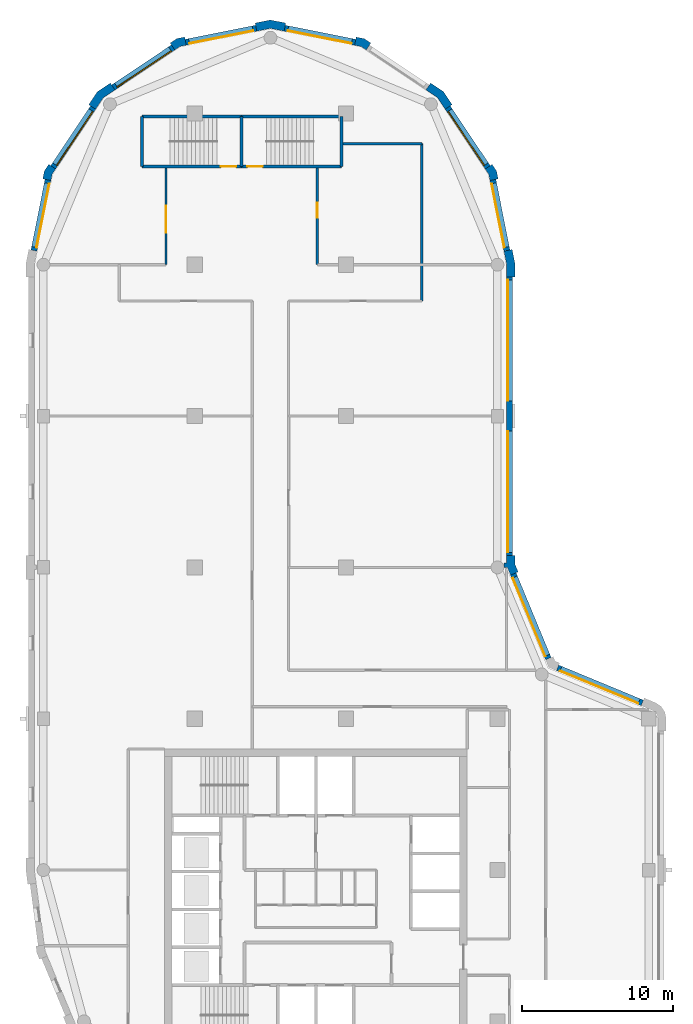
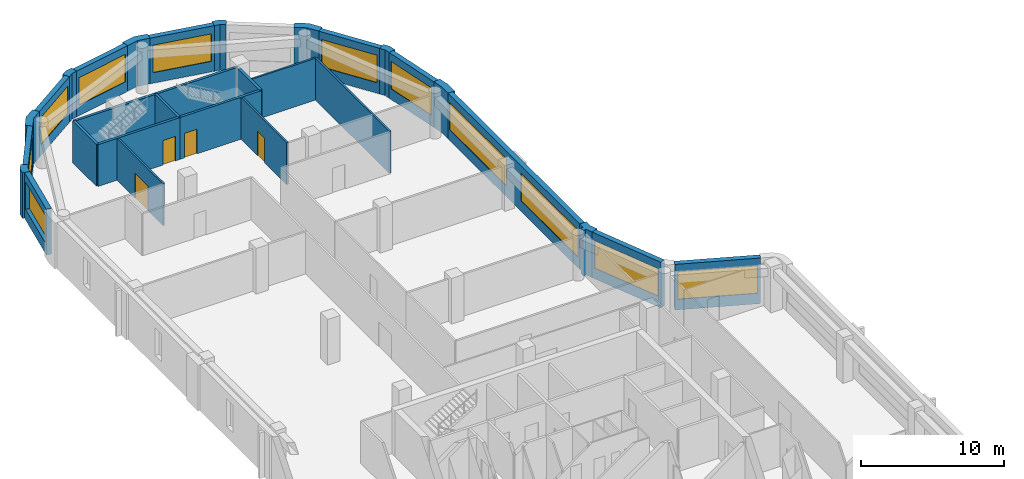
# One storey, part 5 of 8: 30 walls, 11 windows, 4 doors, 15 openings.
"""IFC4 building model written with IfcOpenShell, lengths in metres."""

from ifc_helpers import new_model, si_unit, direction, frame, frame_2d, origin, place, context, subcontext, project, spatial, polyline, rectangle, outline, extrude, material, layer, layer_set, type_object, element, fill, save


model = new_model("IFC4")

# Units and contexts
model_context = context("Model", 3, precision=1e-05, world=origin(), true_north=direction((0.0, 1.0)))
body_context = subcontext(model_context, "Body", "Model", "MODEL_VIEW")
ifc_project = project(units=[si_unit("LENGTHUNIT", "METRE"), si_unit("AREAUNIT", "SQUARE_METRE"), si_unit("VOLUMEUNIT", "CUBIC_METRE"), si_unit("PLANEANGLEUNIT", "RADIAN"), si_unit("MASSUNIT", "GRAM", prefix="KILO")], contexts=[model_context])

# Site, building, storey
site_placement = place(None, origin())
site = spatial("IfcSite", under=ifc_project, at=site_placement, CompositionType="ELEMENT")
building_placement = place(site_placement, origin())
building = spatial("IfcBuilding", under=site, at=building_placement, Name="Qaws Garden Tower", CompositionType="ELEMENT")
storey_placement = place(building_placement, frame((0.0, 0.0, 294.300048828125)))
storey = spatial("IfcBuildingStorey", under=building, at=storey_placement, Name="L71", CompositionType="ELEMENT", Elevation=294.300048828125)

# Wall, opening, window
ifc_material_1 = material(Name="Clay facing brick masonry", Category="masonry")
ifc_layer_1 = layer(ifc_material_1, 0.39990234375)
ifc_layer_set_1 = layer_set([ifc_layer_1], Name="Clay facing brick masonry")
wall_type_1 = type_object("IfcWallType", Name="Brick infill wall 400", PredefinedType="SOLIDWALL", material=ifc_layer_set_1)
wall_1_placement = place(storey_placement, frame((39.56689453125, 31.04541015625, 0.0), z_axis=(0.0, 0.0, 1.0), x_axis=(-0.923891000409, 0.382655745237, 0.0)))
wall_1 = element("IfcWall", 1, at=wall_1_placement, inside=storey, type_object=wall_type_1, Name="E-L71-infill-05", PredefinedType="SOLIDWALL", context=body_context, shape_type="SweptSolid", body=[
    extrude(rectangle(XDim=6.053466796875, YDim=0.39990234375, at=frame_2d((3.02685546875, 0.0))), origin(), (0.0, 0.0, 1.0), 3.89990234375),
])
opening_1_placement = place(wall_1_placement, frame((0.226806640625, 0.0, 0.89990234375)))
opening_1 = element("IfcOpeningElement", 2, at=opening_1_placement, cuts=wall_1, Name="Opening W04", PredefinedType="OPENING", context=body_context, shape_type="SweptSolid", body=[
    extrude(rectangle(XDim=5.60009765625, YDim=2.35009765625, at=frame_2d((2.800048828125, 1.175048828125))), frame((0.0, 0.2099609375, 0.0), z_axis=(0.0, -1.0, 0.0), x_axis=(1.0, 0.0, 0.0)), (0.0, 0.0, 1.0), 0.419921875),
])
ifc_material_2 = material(Name="Aluminium framed window, clear glazing", Category="aluminium")
window_type_1 = type_object("IfcWindowType", Name="Ribbon window 5600 x 2350", PartitioningType="DOUBLE_PANEL_VERTICAL", PredefinedType="WINDOW", material=ifc_material_2)
window_1_placement = place(opening_1_placement, origin())
window_1 = element("IfcWindow", 3, at=window_1_placement, inside=storey, type_object=window_type_1, Name="E-L71-window-05-0", OverallHeight=2.35009765625, OverallWidth=5.60009765625, PartitioningType="SINGLE_PANEL", PredefinedType="WINDOW", context=body_context, shape_type="SweptSolid", body=[
    extrude(rectangle(XDim=5.60009765625, YDim=2.35009765625, at=frame_2d((2.800048828125, 1.175048828125))), frame((0.0, 0.159912109375, 0.0), z_axis=(0.0, -1.0, 0.0), x_axis=(1.0, 0.0, 0.0)), (0.0, 0.0, 1.0), 0.06005859375),
])
fill(opening_1, window_1)

wall_2_placement = place(storey_placement, frame((33.36181640625, 33.97412109375, 0.0), z_axis=(0.0, 0.0, 1.0), x_axis=(-0.382655745237, 0.923891000409, 0.0)))
wall_2 = element("IfcWall", 4, at=wall_2_placement, inside=storey, type_object=wall_type_1, Name="E-L71-infill-06", PredefinedType="SOLIDWALL", context=body_context, shape_type="SweptSolid", body=[
    extrude(rectangle(XDim=6.053466796875, YDim=0.39990234375, at=frame_2d((3.02685546875, 0.0))), origin(), (0.0, 0.0, 1.0), 3.89990234375),
])
opening_2_placement = place(wall_2_placement, frame((0.226806640625, 0.0, 0.89990234375)))
opening_2 = element("IfcOpeningElement", 5, at=opening_2_placement, cuts=wall_2, Name="Opening W04", PredefinedType="OPENING", context=body_context, shape_type="SweptSolid", body=[
    extrude(rectangle(XDim=5.60009765625, YDim=2.35009765625, at=frame_2d((2.800048828125, 1.175048828125))), frame((0.0, 0.2099609375, 0.0), z_axis=(0.0, -1.0, 0.0), x_axis=(1.0, 0.0, 0.0)), (0.0, 0.0, 1.0), 0.419921875),
])
window_2_placement = place(opening_2_placement, origin())
window_2 = element("IfcWindow", 6, at=window_2_placement, inside=storey, type_object=window_type_1, Name="E-L71-window-06-0", OverallHeight=2.35009765625, OverallWidth=5.60009765625, PartitioningType="SINGLE_PANEL", PredefinedType="WINDOW", context=body_context, shape_type="SweptSolid", body=[
    extrude(rectangle(XDim=5.60009765625, YDim=2.35009765625, at=frame_2d((2.800048828125, 1.175048828125))), frame((0.0, 0.159912109375, 0.0), z_axis=(0.0, -1.0, 0.0), x_axis=(1.0, 0.0, 0.0)), (0.0, 0.0, 1.0), 0.06005859375),
])
fill(opening_2, window_2)

# Wall, openings, windows
wall_3_placement = place(storey_placement, frame((30.800048828125, 40.800048828125, 0.0), z_axis=(0.0, 0.0, 1.0), x_axis=(0.0, 1.0, 0.0)))
wall_3 = element("IfcWall", 7, at=wall_3_placement, inside=storey, type_object=wall_type_1, Name="E-L71-infill-07", PredefinedType="SOLIDWALL", context=body_context, shape_type="SweptSolid", body=[
    extrude(rectangle(XDim=18.39990234375, YDim=0.39990234375, at=frame_2d((9.199951171875, 0.0))), origin(), (0.0, 0.0, 1.0), 3.89990234375),
])
opening_3_placement = place(wall_3_placement, frame((0.199951171875, 0.0, 0.89990234375)))
opening_3 = element("IfcOpeningElement", 8, at=opening_3_placement, cuts=wall_3, Name="Opening W01", PredefinedType="OPENING", context=body_context, shape_type="SweptSolid", body=[
    extrude(rectangle(XDim=8.0, YDim=2.35009765625, at=frame_2d((4.0, 1.175048828125))), frame((0.0, 0.2099609375, 0.0), z_axis=(0.0, -1.0, 0.0), x_axis=(1.0, 0.0, 0.0)), (0.0, 0.0, 1.0), 0.419921875),
])
opening_4_placement = place(wall_3_placement, frame((10.199951171875, 0.0, 0.89990234375)))
opening_4 = element("IfcOpeningElement", 9, at=opening_4_placement, cuts=wall_3, Name="Opening W01", PredefinedType="OPENING", context=body_context, shape_type="SweptSolid", body=[
    extrude(rectangle(XDim=8.0, YDim=2.35009765625, at=frame_2d((4.0, 1.175048828125))), frame((0.0, 0.2099609375, 0.0), z_axis=(0.0, -1.0, 0.0), x_axis=(1.0, 0.0, 0.0)), (0.0, 0.0, 1.0), 0.419921875),
])
ifc_material_3 = material(Name="Aluminium framed window, clear glazing", Category="aluminium")
window_type_2 = type_object("IfcWindowType", Name="Ribbon window 8000 x 2350", PartitioningType="DOUBLE_PANEL_VERTICAL", PredefinedType="WINDOW", material=ifc_material_3)
window_3_placement = place(opening_3_placement, origin())
window_3 = element("IfcWindow", 10, at=window_3_placement, inside=storey, type_object=window_type_2, Name="E-L71-window-07-0", OverallHeight=2.35009765625, OverallWidth=8.0, PartitioningType="SINGLE_PANEL", PredefinedType="WINDOW", context=body_context, shape_type="SweptSolid", body=[
    extrude(rectangle(XDim=8.0, YDim=2.35009765625, at=frame_2d((4.0, 1.175048828125))), frame((0.0, 0.159912109375, 0.0), z_axis=(0.0, -1.0, 0.0), x_axis=(1.0, 0.0, 0.0)), (0.0, 0.0, 1.0), 0.06005859375),
])
fill(opening_3, window_3)
window_4_placement = place(opening_4_placement, origin())
window_4 = element("IfcWindow", 11, at=window_4_placement, inside=storey, type_object=window_type_2, Name="E-L71-window-08-0", OverallHeight=2.35009765625, OverallWidth=8.0, PartitioningType="SINGLE_PANEL", PredefinedType="WINDOW", context=body_context, shape_type="SweptSolid", body=[
    extrude(rectangle(XDim=8.0, YDim=2.35009765625, at=frame_2d((4.0, 1.175048828125))), frame((0.0, 0.159912109375, 0.0), z_axis=(0.0, -1.0, 0.0), x_axis=(1.0, 0.0, 0.0)), (0.0, 0.0, 1.0), 0.06005859375),
])
fill(opening_4, window_4)

# Wall, opening, window
wall_4_placement = place(storey_placement, frame((30.628662109375, 60.940673828125, 0.0), z_axis=(0.0, 0.0, 1.0), x_axis=(-0.195098533057, 0.98078364709, 0.0)))
wall_4 = element("IfcWall", 12, at=wall_4_placement, inside=storey, type_object=wall_type_1, Name="E-L71-infill-09", PredefinedType="SOLIDWALL", context=body_context, shape_type="SweptSolid", body=[
    extrude(rectangle(XDim=4.752685546875, YDim=0.39990234375, at=frame_2d((2.37646484375, 0.0))), origin(), (0.0, 0.0, 1.0), 3.89990234375),
])
opening_5_placement = place(wall_4_placement, frame((0.226318359375, 0.0, 0.89990234375)))
opening_5 = element("IfcOpeningElement", 13, at=opening_5_placement, cuts=wall_4, Name="Opening W06", PredefinedType="OPENING", context=body_context, shape_type="SweptSolid", body=[
    extrude(rectangle(XDim=4.300048828125, YDim=2.35009765625, at=frame_2d((2.14990234375, 1.175048828125))), frame((0.0, 0.2099609375, 0.0), z_axis=(0.0, -1.0, 0.0), x_axis=(1.0, 0.0, 0.0)), (0.0, 0.0, 1.0), 0.419921875),
])
ifc_material_4 = material(Name="Aluminium framed window, clear glazing", Category="aluminium")
window_type_3 = type_object("IfcWindowType", Name="Ribbon window 4300 x 2350", PartitioningType="DOUBLE_PANEL_VERTICAL", PredefinedType="WINDOW", material=ifc_material_4)
window_5_placement = place(opening_5_placement, origin())
window_5 = element("IfcWindow", 14, at=window_5_placement, inside=storey, type_object=window_type_3, Name="E-L71-window-09-0", OverallHeight=2.35009765625, OverallWidth=4.300048828125, PartitioningType="SINGLE_PANEL", PredefinedType="WINDOW", context=body_context, shape_type="SweptSolid", body=[
    extrude(rectangle(XDim=4.300048828125, YDim=2.35009765625, at=frame_2d((2.14990234375, 1.175048828125))), frame((0.0, 0.159912109375, 0.0), z_axis=(0.0, -1.0, 0.0), x_axis=(1.0, 0.0, 0.0)), (0.0, 0.0, 1.0), 0.06005859375),
])
fill(opening_5, window_5)

wall_5_placement = place(storey_placement, frame((29.356689453125, 66.43408203125, 0.0), z_axis=(0.0, 0.0, 1.0), x_axis=(-0.555541552266, 0.831488775454, 0.0)))
wall_5 = element("IfcWall", 15, at=wall_5_placement, inside=storey, type_object=wall_type_1, Name="E-L71-infill-10", PredefinedType="SOLIDWALL", context=body_context, shape_type="SweptSolid", body=[
    extrude(rectangle(XDim=4.752685546875, YDim=0.39990234375, at=frame_2d((2.37646484375, 0.0))), origin(), (0.0, 0.0, 1.0), 3.89990234375),
])
opening_6_placement = place(wall_5_placement, frame((0.226318359375, 0.0, 0.89990234375)))
opening_6 = element("IfcOpeningElement", 16, at=opening_6_placement, cuts=wall_5, Name="Opening W06", PredefinedType="OPENING", context=body_context, shape_type="SweptSolid", body=[
    extrude(rectangle(XDim=4.300048828125, YDim=2.35009765625, at=frame_2d((2.14990234375, 1.175048828125))), frame((0.0, 0.2099609375, 0.0), z_axis=(0.0, -1.0, 0.0), x_axis=(1.0, 0.0, 0.0)), (0.0, 0.0, 1.0), 0.419921875),
])
window_6_placement = place(opening_6_placement, origin())
window_6 = element("IfcWindow", 17, at=window_6_placement, inside=storey, type_object=window_type_3, Name="E-L71-window-10-0", OverallHeight=2.35009765625, OverallWidth=4.300048828125, PartitioningType="SINGLE_PANEL", PredefinedType="WINDOW", context=body_context, shape_type="SweptSolid", body=[
    extrude(rectangle(XDim=4.300048828125, YDim=2.35009765625, at=frame_2d((2.14990234375, 1.175048828125))), frame((0.0, 0.159912109375, 0.0), z_axis=(0.0, -1.0, 0.0), x_axis=(1.0, 0.0, 0.0)), (0.0, 0.0, 1.0), 0.06005859375),
])
fill(opening_6, window_6)

wall_6_placement = place(storey_placement, frame((20.60205078125, 74.701416015625, 0.0), z_axis=(0.0, 0.0, 1.0), x_axis=(-0.98078364709, 0.195098533057, 0.0)))
wall_6 = element("IfcWall", 18, at=wall_6_placement, inside=storey, type_object=wall_type_1, Name="E-L71-infill-12", PredefinedType="SOLIDWALL", context=body_context, shape_type="SweptSolid", body=[
    extrude(rectangle(XDim=4.752685546875, YDim=0.39990234375, at=frame_2d((2.37646484375, 0.0))), origin(), (0.0, 0.0, 1.0), 3.89990234375),
])
opening_7_placement = place(wall_6_placement, frame((0.226318359375, 0.0, 0.89990234375)))
opening_7 = element("IfcOpeningElement", 19, at=opening_7_placement, cuts=wall_6, Name="Opening W06", PredefinedType="OPENING", context=body_context, shape_type="SweptSolid", body=[
    extrude(rectangle(XDim=4.300048828125, YDim=2.35009765625, at=frame_2d((2.14990234375, 1.175048828125))), frame((0.0, 0.2099609375, 0.0), z_axis=(0.0, -1.0, 0.0), x_axis=(1.0, 0.0, 0.0)), (0.0, 0.0, 1.0), 0.419921875),
])
window_7_placement = place(opening_7_placement, origin())
window_7 = element("IfcWindow", 20, at=window_7_placement, inside=storey, type_object=window_type_3, Name="E-L71-window-12-0", OverallHeight=2.35009765625, OverallWidth=4.300048828125, PartitioningType="SINGLE_PANEL", PredefinedType="WINDOW", context=body_context, shape_type="SweptSolid", body=[
    extrude(rectangle(XDim=4.300048828125, YDim=2.35009765625, at=frame_2d((2.14990234375, 1.175048828125))), frame((0.0, 0.159912109375, 0.0), z_axis=(0.0, -1.0, 0.0), x_axis=(1.0, 0.0, 0.0)), (0.0, 0.0, 1.0), 0.06005859375),
])
fill(opening_7, window_7)

wall_7_placement = place(storey_placement, frame((14.059326171875, 75.628662109375, 0.0), z_axis=(0.0, 0.0, 1.0), x_axis=(-0.98078364709, -0.195098533057, 0.0)))
wall_7 = element("IfcWall", 21, at=wall_7_placement, inside=storey, type_object=wall_type_1, Name="E-L71-infill-13", PredefinedType="SOLIDWALL", context=body_context, shape_type="SweptSolid", body=[
    extrude(rectangle(XDim=4.752685546875, YDim=0.39990234375, at=frame_2d((2.37646484375, 0.0))), origin(), (0.0, 0.0, 1.0), 3.89990234375),
])
opening_8_placement = place(wall_7_placement, frame((0.226318359375, 0.0, 0.89990234375)))
opening_8 = element("IfcOpeningElement", 22, at=opening_8_placement, cuts=wall_7, Name="Opening W06", PredefinedType="OPENING", context=body_context, shape_type="SweptSolid", body=[
    extrude(rectangle(XDim=4.300048828125, YDim=2.35009765625, at=frame_2d((2.14990234375, 1.175048828125))), frame((0.0, 0.2099609375, 0.0), z_axis=(0.0, -1.0, 0.0), x_axis=(1.0, 0.0, 0.0)), (0.0, 0.0, 1.0), 0.419921875),
])
window_8_placement = place(opening_8_placement, origin())
window_8 = element("IfcWindow", 23, at=window_8_placement, inside=storey, type_object=window_type_3, Name="E-L71-window-13-0", OverallHeight=2.35009765625, OverallWidth=4.300048828125, PartitioningType="SINGLE_PANEL", PredefinedType="WINDOW", context=body_context, shape_type="SweptSolid", body=[
    extrude(rectangle(XDim=4.300048828125, YDim=2.35009765625, at=frame_2d((2.14990234375, 1.175048828125))), frame((0.0, 0.159912109375, 0.0), z_axis=(0.0, -1.0, 0.0), x_axis=(1.0, 0.0, 0.0)), (0.0, 0.0, 1.0), 0.06005859375),
])
fill(opening_8, window_8)

wall_8_placement = place(storey_placement, frame((8.56591796875, 74.356689453125, 0.0), z_axis=(0.0, 0.0, 1.0), x_axis=(-0.831488775454, -0.555541552266, 0.0)))
wall_8 = element("IfcWall", 24, at=wall_8_placement, inside=storey, type_object=wall_type_1, Name="E-L71-infill-14", PredefinedType="SOLIDWALL", context=body_context, shape_type="SweptSolid", body=[
    extrude(rectangle(XDim=4.752685546875, YDim=0.39990234375, at=frame_2d((2.37646484375, 0.0))), origin(), (0.0, 0.0, 1.0), 3.89990234375),
])
opening_9_placement = place(wall_8_placement, frame((0.226318359375, 0.0, 0.89990234375)))
opening_9 = element("IfcOpeningElement", 25, at=opening_9_placement, cuts=wall_8, Name="Opening W06", PredefinedType="OPENING", context=body_context, shape_type="SweptSolid", body=[
    extrude(rectangle(XDim=4.300048828125, YDim=2.35009765625, at=frame_2d((2.14990234375, 1.175048828125))), frame((0.0, 0.2099609375, 0.0), z_axis=(0.0, -1.0, 0.0), x_axis=(1.0, 0.0, 0.0)), (0.0, 0.0, 1.0), 0.419921875),
])
window_9_placement = place(opening_9_placement, origin())
window_9 = element("IfcWindow", 26, at=window_9_placement, inside=storey, type_object=window_type_3, Name="E-L71-window-14-0", OverallHeight=2.35009765625, OverallWidth=4.300048828125, PartitioningType="SINGLE_PANEL", PredefinedType="WINDOW", context=body_context, shape_type="SweptSolid", body=[
    extrude(rectangle(XDim=4.300048828125, YDim=2.35009765625, at=frame_2d((2.14990234375, 1.175048828125))), frame((0.0, 0.159912109375, 0.0), z_axis=(0.0, -1.0, 0.0), x_axis=(1.0, 0.0, 0.0)), (0.0, 0.0, 1.0), 0.06005859375),
])
fill(opening_9, window_9)

wall_9_placement = place(storey_placement, frame((3.28369140625, 70.385986328125, 0.0), z_axis=(0.0, 0.0, 1.0), x_axis=(-0.555541552266, -0.831488775454, 0.0)))
wall_9 = element("IfcWall", 27, at=wall_9_placement, inside=storey, type_object=wall_type_1, Name="E-L71-infill-15", PredefinedType="SOLIDWALL", context=body_context, shape_type="SweptSolid", body=[
    extrude(rectangle(XDim=4.752685546875, YDim=0.39990234375, at=frame_2d((2.37646484375, 0.0))), origin(), (0.0, 0.0, 1.0), 3.89990234375),
])
opening_10_placement = place(wall_9_placement, frame((0.226318359375, 0.0, 0.89990234375)))
opening_10 = element("IfcOpeningElement", 28, at=opening_10_placement, cuts=wall_9, Name="Opening W06", PredefinedType="OPENING", context=body_context, shape_type="SweptSolid", body=[
    extrude(rectangle(XDim=4.300048828125, YDim=2.35009765625, at=frame_2d((2.14990234375, 1.175048828125))), frame((0.0, 0.2099609375, 0.0), z_axis=(0.0, -1.0, 0.0), x_axis=(1.0, 0.0, 0.0)), (0.0, 0.0, 1.0), 0.419921875),
])
window_10_placement = place(opening_10_placement, origin())
window_10 = element("IfcWindow", 29, at=window_10_placement, inside=storey, type_object=window_type_3, Name="E-L71-window-15-0", OverallHeight=2.35009765625, OverallWidth=4.300048828125, PartitioningType="SINGLE_PANEL", PredefinedType="WINDOW", context=body_context, shape_type="SweptSolid", body=[
    extrude(rectangle(XDim=4.300048828125, YDim=2.35009765625, at=frame_2d((2.14990234375, 1.175048828125))), frame((0.0, 0.159912109375, 0.0), z_axis=(0.0, -1.0, 0.0), x_axis=(1.0, 0.0, 0.0)), (0.0, 0.0, 1.0), 0.06005859375),
])
fill(opening_10, window_10)

wall_10_placement = place(storey_placement, frame((0.298583984375, 65.60205078125, 0.0), z_axis=(0.0, 0.0, 1.0), x_axis=(-0.195098533057, -0.98078364709, 0.0)))
wall_10 = element("IfcWall", 30, at=wall_10_placement, inside=storey, type_object=wall_type_1, Name="E-L71-infill-16", PredefinedType="SOLIDWALL", context=body_context, shape_type="SweptSolid", body=[
    extrude(rectangle(XDim=4.752685546875, YDim=0.39990234375, at=frame_2d((2.37646484375, 0.0))), origin(), (0.0, 0.0, 1.0), 3.89990234375),
])
opening_11_placement = place(wall_10_placement, frame((0.226318359375, 0.0, 0.89990234375)))
opening_11 = element("IfcOpeningElement", 31, at=opening_11_placement, cuts=wall_10, Name="Opening W06", PredefinedType="OPENING", context=body_context, shape_type="SweptSolid", body=[
    extrude(rectangle(XDim=4.300048828125, YDim=2.35009765625, at=frame_2d((2.14990234375, 1.175048828125))), frame((0.0, 0.2099609375, 0.0), z_axis=(0.0, -1.0, 0.0), x_axis=(1.0, 0.0, 0.0)), (0.0, 0.0, 1.0), 0.419921875),
])
window_11_placement = place(opening_11_placement, origin())
window_11 = element("IfcWindow", 32, at=window_11_placement, inside=storey, type_object=window_type_3, Name="E-L71-window-16-0", OverallHeight=2.35009765625, OverallWidth=4.300048828125, PartitioningType="SINGLE_PANEL", PredefinedType="WINDOW", context=body_context, shape_type="SweptSolid", body=[
    extrude(rectangle(XDim=4.300048828125, YDim=2.35009765625, at=frame_2d((2.14990234375, 1.175048828125))), frame((0.0, 0.159912109375, 0.0), z_axis=(0.0, -1.0, 0.0), x_axis=(1.0, 0.0, 0.0)), (0.0, 0.0, 1.0), 0.06005859375),
])
fill(opening_11, window_11)

# Walls
ifc_material_5 = material(Name="Clay facing brick masonry", Category="masonry")
ifc_layer_2 = layer(ifc_material_5, 0.550048828125)
ifc_layer_set_2 = layer_set([ifc_layer_2], Name="Clay facing brick masonry")
wall_type_2 = type_object("IfcWallType", Name="Brick kink pier 550 x 600", PredefinedType="SOLIDWALL", material=ifc_layer_set_2)
placement = place(storey_placement, origin())
element("IfcWall", 33, at=placement, inside=storey, type_object=wall_type_2, Name="E-L71-pier-10", PredefinedType="SOLIDWALL", context=body_context, shape_type="SweptSolid", body=[
    extrude(outline(polyline([(29.8974609375, 65.64111328125), (30.044677734375, 65.67041015625), (29.94140625, 66.18896484375), (29.647705078125, 66.628662109375), (29.52294921875, 66.545166015625), (29.1904296875, 66.322998046875), (29.42333984375, 65.974365234375), (29.505126953125, 65.56298828125), (29.8974609375, 65.64111328125)])), origin(), (0.0, 0.0, 1.0), 3.89990234375),
])
element("IfcWall", 34, at=placement, inside=storey, type_object=wall_type_2, Name="E-L71-pier-12", PredefinedType="SOLIDWALL", context=body_context, shape_type="SweptSolid", body=[
    extrude(outline(polyline([(21.545166015625, 74.52294921875), (21.628662109375, 74.647705078125), (21.18896484375, 74.94140625), (20.67041015625, 75.044677734375), (20.64111328125, 74.8974609375), (20.56298828125, 74.505126953125), (20.974365234375, 74.42333984375), (21.322998046875, 74.1904296875), (21.545166015625, 74.52294921875)])), origin(), (0.0, 0.0, 1.0), 3.89990234375),
])
element("IfcWall", 35, at=placement, inside=storey, type_object=wall_type_2, Name="E-L71-pier-14", PredefinedType="SOLIDWALL", context=body_context, shape_type="SweptSolid", body=[
    extrude(outline(polyline([(9.35888671875, 74.8974609375), (9.32958984375, 75.044677734375), (8.81103515625, 74.94140625), (8.371337890625, 74.647705078125), (8.454833984375, 74.52294921875), (8.677001953125, 74.1904296875), (9.025634765625, 74.42333984375), (9.43701171875, 74.505126953125), (9.35888671875, 74.8974609375)])), origin(), (0.0, 0.0, 1.0), 3.89990234375),
])
element("IfcWall", 36, at=placement, inside=storey, type_object=wall_type_2, Name="E-L71-pier-16", PredefinedType="SOLIDWALL", context=body_context, shape_type="SweptSolid", body=[
    extrude(outline(polyline([(0.47705078125, 66.545166015625), (0.352294921875, 66.628662109375), (0.05859375, 66.18896484375), (-0.044677734375, 65.67041015625), (0.1025390625, 65.64111328125), (0.494873046875, 65.56298828125), (0.57666015625, 65.974365234375), (0.8095703125, 66.322998046875), (0.47705078125, 66.545166015625)])), origin(), (0.0, 0.0, 1.0), 3.89990234375),
])
ifc_material_6 = material(Name="Clay facing brick masonry", Category="masonry")
ifc_layer_3 = layer(ifc_material_6, 0.550048828125)
ifc_layer_set_3 = layer_set([ifc_layer_3], Name="Clay facing brick masonry")
wall_type_3 = type_object("IfcWallType", Name="Brick pier 550 x 1600", PredefinedType="SOLIDWALL", material=ifc_layer_set_3)
element("IfcWall", 37, at=placement, inside=storey, type_object=wall_type_3, Name="E-L71-pier-07", PredefinedType="SOLIDWALL", context=body_context, shape_type="SweptSolid", body=[
    extrude(outline(polyline([(30.6201171875, 39.995361328125), (30.6201171875, 40.071044921875), (30.860595703125, 39.490478515625), (31.22998046875, 39.6435546875), (31.36865234375, 39.700927734375), (31.14990234375, 40.228759765625), (31.14990234375, 40.800048828125), (31.0, 40.800048828125), (30.60009765625, 40.800048828125), (30.60009765625, 40.29541015625), (30.425048828125, 40.29541015625), (30.425048828125, 39.995361328125), (30.6201171875, 39.995361328125)])), origin(), (0.0, 0.0, 1.0), 3.89990234375),
])
element("IfcWall", 38, at=placement, inside=storey, type_object=wall_type_3, Name="E-L71-pier-09", PredefinedType="SOLIDWALL", context=body_context, shape_type="SweptSolid", body=[
    extrude(outline(polyline([(31.0, 59.199951171875), (31.14990234375, 59.199951171875), (31.14990234375, 60.11328125), (30.971923828125, 61.009033203125), (30.82470703125, 60.979736328125), (30.432373046875, 60.901611328125), (30.60009765625, 60.05908203125), (30.60009765625, 59.199951171875), (31.0, 59.199951171875)])), origin(), (0.0, 0.0, 1.0), 3.89990234375),
])
element("IfcWall", 39, at=placement, inside=storey, type_object=wall_type_3, Name="E-L71-pier-11", PredefinedType="SOLIDWALL", context=body_context, shape_type="SweptSolid", body=[
    extrude(outline(polyline([(26.882568359375, 70.4970703125), (27.00732421875, 70.580322265625), (26.435791015625, 71.435791015625), (25.580322265625, 72.00732421875), (25.4970703125, 71.882568359375), (25.274658203125, 71.550048828125), (26.0390625, 71.0390625), (26.550048828125, 70.274658203125), (26.882568359375, 70.4970703125)])), origin(), (0.0, 0.0, 1.0), 3.89990234375),
])
element("IfcWall", 40, at=placement, inside=storey, type_object=wall_type_3, Name="E-L71-pier-13", PredefinedType="SOLIDWALL", context=body_context, shape_type="SweptSolid", body=[
    extrude(outline(polyline([(15.979736328125, 75.82470703125), (16.009033203125, 75.971923828125), (15.0, 76.172607421875), (13.990966796875, 75.971923828125), (14.020263671875, 75.82470703125), (14.098388671875, 75.432373046875), (15.0, 75.61181640625), (15.901611328125, 75.432373046875), (15.979736328125, 75.82470703125)])), origin(), (0.0, 0.0, 1.0), 3.89990234375),
])
element("IfcWall", 41, at=placement, inside=storey, type_object=wall_type_3, Name="E-L71-pier-15", PredefinedType="SOLIDWALL", context=body_context, shape_type="SweptSolid", body=[
    extrude(outline(polyline([(4.5029296875, 71.882568359375), (4.419677734375, 72.00732421875), (3.564208984375, 71.435791015625), (2.99267578125, 70.580322265625), (3.117431640625, 70.4970703125), (3.449951171875, 70.274658203125), (3.9609375, 71.0390625), (4.725341796875, 71.550048828125), (4.5029296875, 71.882568359375)])), origin(), (0.0, 0.0, 1.0), 3.89990234375),
])

# Wall, opening, door
ifc_material_7 = material(Name="Concrete C60", Category="concrete")
ifc_layer_4 = layer(ifc_material_7, 0.199951171875)
ifc_layer_set_4 = layer_set([ifc_layer_4], Name="Concrete C60")
wall_type_4 = type_object("IfcWallType", Name="Core shaft wall 200 C60", PredefinedType="SHEAR", material=ifc_layer_set_4)
wall_20_placement = place(storey_placement, frame((6.5, 66.5, 0.0), z_axis=(0.0, 0.0, 1.0), x_axis=(1.0, 0.0, 0.0)))
wall_20 = element("IfcWall", 42, at=wall_20_placement, inside=storey, type_object=wall_type_4, Name="Shaft wall", PredefinedType="SHEAR", context=body_context, shape_type="SweptSolid", body=[
    extrude(rectangle(XDim=6.60009765625, YDim=0.199951171875, at=frame_2d((3.300048828125, 0.0))), origin(), (0.0, 0.0, 1.0), 3.579833984375),
])
opening_12_placement = place(wall_20_placement, frame((5.22509765625, 0.0, 0.0)))
opening_12 = element("IfcOpeningElement", 43, at=opening_12_placement, cuts=wall_20, Name="Opening SD13", PredefinedType="OPENING", context=body_context, shape_type="SweptSolid", body=[
    extrude(rectangle(XDim=1.0, YDim=2.10009765625, at=frame_2d((0.5, 1.050048828125))), frame((0.0, 0.10986328125, 0.0), z_axis=(0.0, -1.0, 0.0), x_axis=(1.0, 0.0, 0.0)), (0.0, 0.0, 1.0), 0.219970703125),
])
ifc_material_8 = material(Name="Steel S235", Category="steel")
door_type_1 = type_object("IfcDoorType", Name="Stair door 1000x2100", OperationType="SINGLE_SWING_RIGHT", PredefinedType="DOOR", material=ifc_material_8)
door_1_placement = place(opening_12_placement, origin())
door_1 = element("IfcDoor", 44, at=door_1_placement, inside=storey, type_object=door_type_1, Name="Stair 6 door", OperationType="SINGLE_SWING_RIGHT", OverallHeight=2.10009765625, OverallWidth=1.0, PredefinedType="DOOR", context=body_context, shape_type="SweptSolid", body=[
    extrude(rectangle(XDim=1.0, YDim=2.10009765625, at=frame_2d((0.5, 1.050048828125))), frame((0.0, 0.02490234375, 0.0), z_axis=(0.0, -1.0, 0.0), x_axis=(1.0, 0.0, 0.0)), (0.0, 0.0, 1.0), 0.050048828125),
])
fill(opening_12, door_1)

wall_21_placement = place(storey_placement, frame((13.10009765625, 66.5, 0.0), z_axis=(0.0, 0.0, 1.0), x_axis=(1.0, 0.0, 0.0)))
wall_21 = element("IfcWall", 45, at=wall_21_placement, inside=storey, type_object=wall_type_4, Name="Shaft wall", PredefinedType="SHEAR", context=body_context, shape_type="SweptSolid", body=[
    extrude(rectangle(XDim=6.599853515625, YDim=0.199951171875, at=frame_2d((3.2998046875, 0.0))), origin(), (0.0, 0.0, 1.0), 3.579833984375),
])
opening_13_placement = place(wall_21_placement, frame((0.375, 0.0, 0.0)))
opening_13 = element("IfcOpeningElement", 46, at=opening_13_placement, cuts=wall_21, Name="Opening SD14", PredefinedType="OPENING", context=body_context, shape_type="SweptSolid", body=[
    extrude(rectangle(XDim=1.0, YDim=2.10009765625, at=frame_2d((0.5, 1.050048828125))), frame((0.0, 0.10986328125, 0.0), z_axis=(0.0, -1.0, 0.0), x_axis=(1.0, 0.0, 0.0)), (0.0, 0.0, 1.0), 0.219970703125),
])
door_2_placement = place(opening_13_placement, origin())
door_2 = element("IfcDoor", 47, at=door_2_placement, inside=storey, type_object=door_type_1, Name="Stair 7 door", OperationType="SINGLE_SWING_LEFT", OverallHeight=2.10009765625, OverallWidth=1.0, PredefinedType="DOOR", context=body_context, shape_type="SweptSolid", body=[
    extrude(rectangle(XDim=1.0, YDim=2.10009765625, at=frame_2d((0.5, 1.050048828125))), frame((0.0, 0.02490234375, 0.0), z_axis=(0.0, -1.0, 0.0), x_axis=(1.0, 0.0, 0.0)), (0.0, 0.0, 1.0), 0.050048828125),
])
fill(opening_13, door_2)

# Walls
wall_22_placement = place(storey_placement, frame((6.5, 69.800048828125, 0.0), z_axis=(0.0, 0.0, 1.0), x_axis=(1.0, 0.0, 0.0)))
element("IfcWall", 48, at=wall_22_placement, inside=storey, type_object=wall_type_4, Name="Shaft wall", PredefinedType="SHEAR", context=body_context, shape_type="SweptSolid", body=[
    extrude(rectangle(XDim=6.60009765625, YDim=0.199951171875, at=frame_2d((3.300048828125, 0.0))), origin(), (0.0, 0.0, 1.0), 3.579833984375),
])
wall_23_placement = place(storey_placement, frame((13.10009765625, 69.800048828125, 0.0), z_axis=(0.0, 0.0, 1.0), x_axis=(1.0, 0.0, 0.0)))
element("IfcWall", 49, at=wall_23_placement, inside=storey, type_object=wall_type_4, Name="Shaft wall", PredefinedType="SHEAR", context=body_context, shape_type="SweptSolid", body=[
    extrude(rectangle(XDim=6.599853515625, YDim=0.199951171875, at=frame_2d((3.2998046875, 0.0))), origin(), (0.0, 0.0, 1.0), 3.579833984375),
])
for number, where, z_axis, x_axis, name in (
    (50, (6.5, 66.5, 0.0), (0.0, 0.0, 1.0), (0.0, 1.0, 0.0), "Shaft wall"),
    (51, (13.10009765625, 66.5, 0.0), (0.0, 0.0, 1.0), (0.0, 1.0, 0.0), "Shaft wall"),
    (52, (19.699951171875, 66.5, 0.0), (0.0, 0.0, 1.0), (0.0, 1.0, 0.0), "Shaft wall"),
):
    element("IfcWall", number, at=place(storey_placement, frame(where, z_axis=z_axis, x_axis=x_axis)), inside=storey, type_object=wall_type_4, Name=name, PredefinedType="SHEAR", context=body_context, shape_type="SweptSolid", body=[
        extrude(rectangle(XDim=3.300048828125, YDim=0.199951171875, at=frame_2d((1.64990234375, 0.0))), origin(), (0.0, 0.0, 1.0), 3.579833984375),
    ])

# Wall, opening, door
ifc_material_9 = material(Name="Gypsum board partition")
ifc_layer_5 = layer(ifc_material_9, 0.14990234375)
ifc_layer_set_5 = layer_set([ifc_layer_5], Name="Gypsum board partition")
wall_type_5 = type_object("IfcWallType", Name="PARTITION 150 EI 60", PredefinedType="PARTITIONING", material=ifc_layer_set_5)
wall_24_placement = place(storey_placement, frame((8.10009765625, 60.0, 0.0), z_axis=(0.0, 0.0, 1.0), x_axis=(0.0, 1.0, 0.0)))
wall_24 = element("IfcWall", 53, at=wall_24_placement, inside=storey, type_object=wall_type_5, Name="O-L71-wall-004", PredefinedType="PARTITIONING", context=body_context, shape_type="SweptSolid", body=[
    extrude(rectangle(XDim=6.39990234375, YDim=0.14990234375, at=frame_2d((3.199951171875, 0.0))), origin(), (0.0, 0.0, 1.0), 3.579833984375),
])
opening_14_placement = place(wall_24_placement, frame((2.10009765625, 0.0, 0.0)))
opening_14 = element("IfcOpeningElement", 54, at=opening_14_placement, cuts=wall_24, Name="Opening C606", PredefinedType="OPENING", context=body_context, shape_type="SweptSolid", body=[
    extrude(rectangle(XDim=1.800048828125, YDim=2.10009765625, at=frame_2d((0.89990234375, 1.050048828125))), frame((0.0, 0.0849609375, 0.0), z_axis=(0.0, -1.0, 0.0), x_axis=(1.0, 0.0, 0.0)), (0.0, 0.0, 1.0), 0.169921875),
])
ifc_material_10 = material(Name="Timber door leaf", Category="wood")
door_type_2 = type_object("IfcDoorType", Name="DOUBLE DOOR 1800 X 2100", OperationType="DOUBLE_DOOR_SINGLE_SWING", PredefinedType="DOOR", material=ifc_material_10)
door_3_placement = place(opening_14_placement, origin())
door_3 = element("IfcDoor", 55, at=door_3_placement, inside=storey, type_object=door_type_2, Name="O-L71-door-006", OperationType="DOUBLE_DOOR_SINGLE_SWING", OverallHeight=2.10009765625, OverallWidth=1.800048828125, PredefinedType="DOOR", context=body_context, shape_type="SweptSolid", body=[
    extrude(rectangle(XDim=1.800048828125, YDim=2.10009765625, at=frame_2d((0.89990234375, 1.050048828125))), frame((0.0, 0.02490234375, 0.0), z_axis=(0.0, -1.0, 0.0), x_axis=(1.0, 0.0, 0.0)), (0.0, 0.0, 1.0), 0.050048828125),
])
fill(opening_14, door_3)

wall_25_placement = place(storey_placement, frame((18.10009765625, 60.0, 0.0), z_axis=(0.0, 0.0, 1.0), x_axis=(0.0, 1.0, 0.0)))
wall_25 = element("IfcWall", 56, at=wall_25_placement, inside=storey, type_object=wall_type_5, Name="O-L71-wall-009", PredefinedType="PARTITIONING", context=body_context, shape_type="SweptSolid", body=[
    extrude(rectangle(XDim=6.39990234375, YDim=0.14990234375, at=frame_2d((3.199951171875, 0.0))), origin(), (0.0, 0.0, 1.0), 3.579833984375),
])
opening_15_placement = place(wall_25_placement, frame((3.10009765625, 0.0, 0.0)))
opening_15 = element("IfcOpeningElement", 57, at=opening_15_placement, cuts=wall_25, Name="Opening C607", PredefinedType="OPENING", context=body_context, shape_type="SweptSolid", body=[
    extrude(rectangle(XDim=1.0, YDim=2.10009765625, at=frame_2d((0.5, 1.050048828125))), frame((0.0, 0.0849609375, 0.0), z_axis=(0.0, -1.0, 0.0), x_axis=(1.0, 0.0, 0.0)), (0.0, 0.0, 1.0), 0.169921875),
])
ifc_material_11 = material(Name="Timber door leaf", Category="wood")
door_type_3 = type_object("IfcDoorType", Name="TENANCY ENTRANCE DOOR 1000 X 2100", OperationType="SINGLE_SWING_LEFT", PredefinedType="DOOR", material=ifc_material_11)
door_4_placement = place(opening_15_placement, frame((1.0, 0.0, 0.0), z_axis=(0.0, 0.0, 1.0), x_axis=(-1.0, 0.0, 0.0)))
door_4 = element("IfcDoor", 58, at=door_4_placement, inside=storey, type_object=door_type_3, Name="O-L71-door-007", OperationType="SINGLE_SWING_RIGHT", OverallHeight=2.10009765625, OverallWidth=1.0, PredefinedType="DOOR", context=body_context, shape_type="SweptSolid", body=[
    extrude(rectangle(XDim=1.0, YDim=2.10009765625, at=frame_2d((0.5, 1.050048828125))), frame((0.0, 0.02490234375, 0.0), z_axis=(0.0, -1.0, 0.0), x_axis=(1.0, 0.0, 0.0)), (0.0, 0.0, 1.0), 0.050048828125),
])
fill(opening_15, door_4)

# Walls
wall_26_placement = place(storey_placement, frame((25.0, 57.60009765625, 0.0), z_axis=(0.0, 0.0, 1.0), x_axis=(0.0, 1.0, 0.0)))
element("IfcWall", 59, at=wall_26_placement, inside=storey, type_object=wall_type_5, Name="O-L71-wall-011", PredefinedType="PARTITIONING", context=body_context, shape_type="SweptSolid", body=[
    extrude(rectangle(XDim=10.39990234375, YDim=0.14990234375, at=frame_2d((5.199951171875, 0.0))), origin(), (0.0, 0.0, 1.0), 3.579833984375),
])
wall_27_placement = place(storey_placement, frame((19.800048828125, 68.0, 0.0), z_axis=(0.0, 0.0, 1.0), x_axis=(1.0, 0.0, 0.0)))
element("IfcWall", 60, at=wall_27_placement, inside=storey, type_object=wall_type_5, Name="O-L71-wall-035", PredefinedType="PARTITIONING", context=body_context, shape_type="SweptSolid", body=[
    extrude(rectangle(XDim=5.199951171875, YDim=0.14990234375, at=frame_2d((2.60009765625, 0.0))), origin(), (0.0, 0.0, 1.0), 3.579833984375),
])

save(model, "model.ifc")
